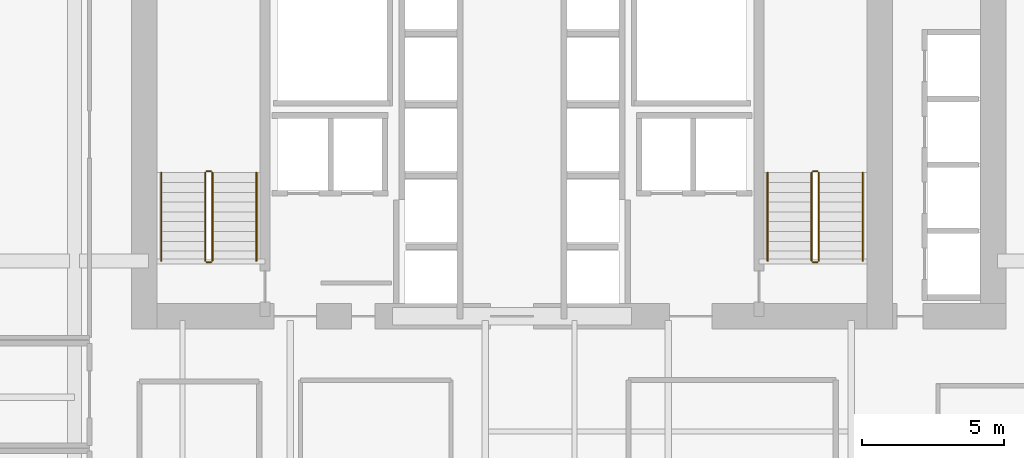
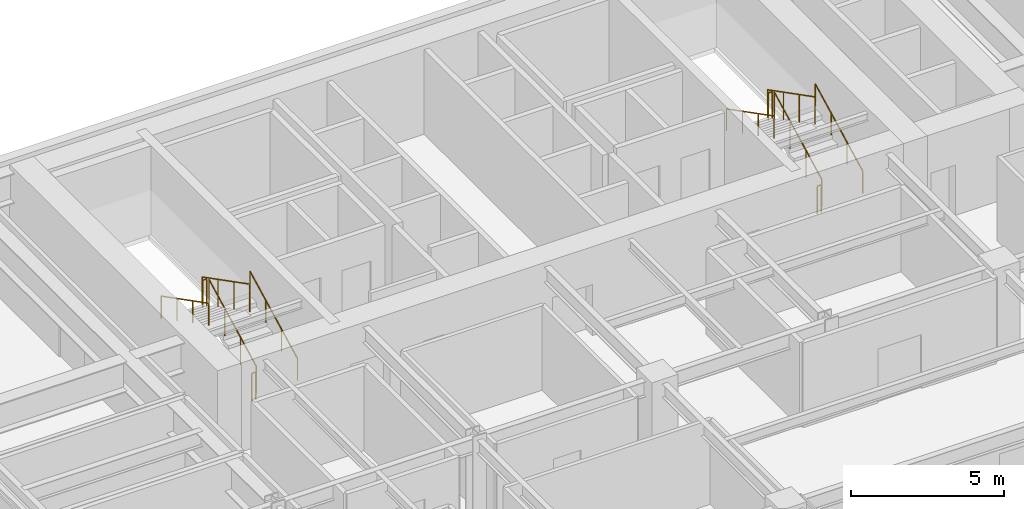
# One storey, part 30 of 30: 12 railings.
"""IFC4 building model written with IfcOpenShell, lengths in metres."""

from ifc_helpers import new_model, si_unit, direction, frame, origin, origin_2d, place, context, subcontext, project, spatial, circle, extrude, material, type_object, element, save


model = new_model("IFC4")

# Units and contexts
model_context = context("Model", 3, precision=1e-05, world=origin(), true_north=direction((0.0, 1.0)))
body_context = subcontext(model_context, "Body", "Model", "MODEL_VIEW")
ifc_project = project(units=[si_unit("LENGTHUNIT", "METRE"), si_unit("AREAUNIT", "SQUARE_METRE"), si_unit("VOLUMEUNIT", "CUBIC_METRE"), si_unit("PLANEANGLEUNIT", "RADIAN"), si_unit("MASSUNIT", "GRAM", prefix="KILO")], contexts=[model_context])

# Site, building, storey
site_placement = place(None, origin())
site = spatial("IfcSite", under=ifc_project, at=site_placement, CompositionType="ELEMENT")
building_placement = place(site_placement, origin())
building = spatial("IfcBuilding", under=site, at=building_placement, Name="Tolvann Quenvar Hotel", CompositionType="ELEMENT")
storey_placement = place(building_placement, frame((0.0, 0.0, 56.85009765625)))
storey = spatial("IfcBuildingStorey", under=building, at=storey_placement, Name="L13", CompositionType="ELEMENT", Elevation=56.85009765625)

# Railings
ifc_material = material(Name="Brushed 316 stainless steel balustrade and handrail", Category="steel")
railing_type_1 = type_object("IfcRailingType", Name="GUARDRAIL", PredefinedType="GUARDRAIL", material=ifc_material)
railing_1_placement = place(storey_placement, frame((12.449951171875, 34.0, 0.177490234375)))
element("IfcRailing", 1, at=railing_1_placement, inside=storey, type_object=railing_type_1, Name="L13 ST-C1 stair guard 1", PredefinedType="GUARDRAIL", context=body_context, shape_type="SweptSolid", body=[
    extrude(circle(Radius=0.02392578125, at=origin_2d()), frame((0.0, 0.0, 1.09619140625), z_axis=(0.0, 0.889221982265, 0.45747597342), x_axis=(-1.0, 0.0, 0.0)), (0.0, 0.0, 1.0), 3.49169921875),
    extrude(circle(Radius=0.02099609375, at=origin_2d()), origin(), (0.0, 0.0, 1.0), 1.072021484375),
    extrude(circle(Radius=0.02099609375, at=origin_2d()), frame((0.0, 1.034912109375, 0.532470703125)), (0.0, 0.0, 1.0), 1.072021484375),
    extrude(circle(Radius=0.02099609375, at=origin_2d()), frame((0.0, 2.070068359375, 1.06494140625)), (0.0, 0.0, 1.0), 1.072021484375),
    extrude(circle(Radius=0.02099609375, at=origin_2d()), frame((0.0, 3.10498046875, 1.597412109375)), (0.0, 0.0, 1.0), 1.072021484375),
])
railing_2_placement = place(storey_placement, frame((12.39990234375, 37.155029296875, 1.77490234375)))
element("IfcRailing", 2, at=railing_2_placement, inside=storey, type_object=railing_type_1, Name="L13 ST-C1 stair guard 2", PredefinedType="GUARDRAIL", context=body_context, shape_type="SweptSolid", body=[
    extrude(circle(Radius=0.02392578125, at=origin_2d()), frame((0.0, 0.0, 1.09619140625), z_axis=(-1.0, 0.0, 0.0), x_axis=(0.0, -1.0, 0.0)), (0.0, 0.0, 1.0), 0.14990234375),
    extrude(circle(Radius=0.02099609375, at=origin_2d()), origin(), (0.0, 0.0, 1.0), 1.072021484375),
    extrude(circle(Radius=0.02099609375, at=origin_2d()), frame((-0.14990234375, 0.0, 0.0)), (0.0, 0.0, 1.0), 1.072021484375),
])
railing_3_placement = place(storey_placement, frame((12.199951171875, 37.10498046875, 1.952392578125)))
element("IfcRailing", 3, at=railing_3_placement, inside=storey, type_object=railing_type_1, Name="L13 ST-C1 stair guard 3", PredefinedType="GUARDRAIL", context=body_context, shape_type="SweptSolid", body=[
    extrude(circle(Radius=0.02392578125, at=origin_2d()), frame((0.0, 0.0, 1.09619140625), z_axis=(0.0, -0.889221982265, 0.45747597342), x_axis=(1.0, 0.0, 0.0)), (0.0, 0.0, 1.0), 3.49169921875),
    extrude(circle(Radius=0.02099609375, at=origin_2d()), origin(), (0.0, 0.0, 1.0), 1.072021484375),
    extrude(circle(Radius=0.02099609375, at=origin_2d()), frame((0.0, -1.034912109375, 0.532470703125)), (0.0, 0.0, 1.0), 1.072021484375),
    extrude(circle(Radius=0.02099609375, at=origin_2d()), frame((0.0, -2.070068359375, 1.06494140625)), (0.0, 0.0, 1.0), 1.072021484375),
    extrude(circle(Radius=0.02099609375, at=origin_2d()), frame((0.0, -3.10498046875, 1.597412109375)), (0.0, 0.0, 1.0), 1.072021484375),
])
railing_4_placement = place(storey_placement, frame((12.39990234375, 33.949951171875, 0.0)))
element("IfcRailing", 4, at=railing_4_placement, inside=storey, type_object=railing_type_1, Name="L13 ST-C1 stair guard 4", PredefinedType="GUARDRAIL", context=body_context, shape_type="SweptSolid", body=[
    extrude(circle(Radius=0.02392578125, at=origin_2d()), frame((0.0, 0.0, 1.09619140625), z_axis=(-1.0, 0.0, 0.0), x_axis=(0.0, -1.0, 0.0)), (0.0, 0.0, 1.0), 0.14990234375),
    extrude(circle(Radius=0.02099609375, at=origin_2d()), origin(), (0.0, 0.0, 1.0), 1.072021484375),
    extrude(circle(Radius=0.02099609375, at=origin_2d()), frame((-0.14990234375, 0.0, 0.0)), (0.0, 0.0, 1.0), 1.072021484375),
])
railing_5_placement = place(storey_placement, frame((33.800048828125, 34.0, 0.177490234375)))
element("IfcRailing", 5, at=railing_5_placement, inside=storey, type_object=railing_type_1, Name="L13 ST-C2 stair guard 1", PredefinedType="GUARDRAIL", context=body_context, shape_type="SweptSolid", body=[
    extrude(circle(Radius=0.02392578125, at=origin_2d()), frame((0.0, 0.0, 1.09619140625), z_axis=(0.0, 0.889221982265, 0.45747597342), x_axis=(-1.0, 0.0, 0.0)), (0.0, 0.0, 1.0), 3.49169921875),
    extrude(circle(Radius=0.02099609375, at=origin_2d()), origin(), (0.0, 0.0, 1.0), 1.072021484375),
    extrude(circle(Radius=0.02099609375, at=origin_2d()), frame((0.0, 1.034912109375, 0.532470703125)), (0.0, 0.0, 1.0), 1.072021484375),
    extrude(circle(Radius=0.02099609375, at=origin_2d()), frame((0.0, 2.070068359375, 1.06494140625)), (0.0, 0.0, 1.0), 1.072021484375),
    extrude(circle(Radius=0.02099609375, at=origin_2d()), frame((0.0, 3.10498046875, 1.597412109375)), (0.0, 0.0, 1.0), 1.072021484375),
])
railing_6_placement = place(storey_placement, frame((33.75, 37.155029296875, 1.77490234375)))
element("IfcRailing", 6, at=railing_6_placement, inside=storey, type_object=railing_type_1, Name="L13 ST-C2 stair guard 2", PredefinedType="GUARDRAIL", context=body_context, shape_type="SweptSolid", body=[
    extrude(circle(Radius=0.02392578125, at=origin_2d()), frame((0.0, 0.0, 1.09619140625), z_axis=(-1.0, 0.0, 0.0), x_axis=(0.0, -1.0, 0.0)), (0.0, 0.0, 1.0), 0.14990234375),
    extrude(circle(Radius=0.02099609375, at=origin_2d()), origin(), (0.0, 0.0, 1.0), 1.072021484375),
    extrude(circle(Radius=0.02099609375, at=origin_2d()), frame((-0.14990234375, 0.0, 0.0)), (0.0, 0.0, 1.0), 1.072021484375),
])
railing_7_placement = place(storey_placement, frame((33.550048828125, 37.10498046875, 1.952392578125)))
element("IfcRailing", 7, at=railing_7_placement, inside=storey, type_object=railing_type_1, Name="L13 ST-C2 stair guard 3", PredefinedType="GUARDRAIL", context=body_context, shape_type="SweptSolid", body=[
    extrude(circle(Radius=0.02392578125, at=origin_2d()), frame((0.0, 0.0, 1.09619140625), z_axis=(0.0, -0.889221982265, 0.45747597342), x_axis=(1.0, 0.0, 0.0)), (0.0, 0.0, 1.0), 3.49169921875),
    extrude(circle(Radius=0.02099609375, at=origin_2d()), origin(), (0.0, 0.0, 1.0), 1.072021484375),
    extrude(circle(Radius=0.02099609375, at=origin_2d()), frame((0.0, -1.034912109375, 0.532470703125)), (0.0, 0.0, 1.0), 1.072021484375),
    extrude(circle(Radius=0.02099609375, at=origin_2d()), frame((0.0, -2.070068359375, 1.06494140625)), (0.0, 0.0, 1.0), 1.072021484375),
    extrude(circle(Radius=0.02099609375, at=origin_2d()), frame((0.0, -3.10498046875, 1.597412109375)), (0.0, 0.0, 1.0), 1.072021484375),
])
railing_8_placement = place(storey_placement, frame((33.75, 33.949951171875, 0.0)))
element("IfcRailing", 8, at=railing_8_placement, inside=storey, type_object=railing_type_1, Name="L13 ST-C2 stair guard 4", PredefinedType="GUARDRAIL", context=body_context, shape_type="SweptSolid", body=[
    extrude(circle(Radius=0.02392578125, at=origin_2d()), frame((0.0, 0.0, 1.09619140625), z_axis=(-1.0, 0.0, 0.0), x_axis=(0.0, -1.0, 0.0)), (0.0, 0.0, 1.0), 0.14990234375),
    extrude(circle(Radius=0.02099609375, at=origin_2d()), origin(), (0.0, 0.0, 1.0), 1.072021484375),
    extrude(circle(Radius=0.02099609375, at=origin_2d()), frame((-0.14990234375, 0.0, 0.0)), (0.0, 0.0, 1.0), 1.072021484375),
])
railing_type_2 = type_object("IfcRailingType", Name="HANDRAIL", PredefinedType="HANDRAIL", material=ifc_material)
railing_9_placement = place(storey_placement, frame((14.0, 34.0, 0.177490234375)))
element("IfcRailing", 9, at=railing_9_placement, inside=storey, type_object=railing_type_2, Name="L13 ST-C1 stair handrail 1", PredefinedType="HANDRAIL", context=body_context, shape_type="SweptSolid", body=[
    extrude(circle(Radius=0.02392578125, at=origin_2d()), frame((0.0, 0.0, 0.8759765625), z_axis=(0.0, 0.889221982265, 0.45747597342), x_axis=(-1.0, 0.0, 0.0)), (0.0, 0.0, 1.0), 3.49169921875),
    extrude(circle(Radius=0.02099609375, at=origin_2d()), origin(), (0.0, 0.0, 1.0), 0.851806640625),
    extrude(circle(Radius=0.02099609375, at=origin_2d()), frame((0.0, 1.034912109375, 0.532470703125)), (0.0, 0.0, 1.0), 0.851806640625),
    extrude(circle(Radius=0.02099609375, at=origin_2d()), frame((0.0, 2.070068359375, 1.06494140625)), (0.0, 0.0, 1.0), 0.851806640625),
    extrude(circle(Radius=0.02099609375, at=origin_2d()), frame((0.0, 3.10498046875, 1.597412109375)), (0.0, 0.0, 1.0), 0.851806640625),
])
railing_10_placement = place(storey_placement, frame((10.64990234375, 37.10498046875, 1.952392578125)))
element("IfcRailing", 10, at=railing_10_placement, inside=storey, type_object=railing_type_2, Name="L13 ST-C1 stair handrail 2", PredefinedType="HANDRAIL", context=body_context, shape_type="SweptSolid", body=[
    extrude(circle(Radius=0.02392578125, at=origin_2d()), frame((0.0, 0.0, 0.8759765625), z_axis=(0.0, -0.889221982265, 0.45747597342), x_axis=(1.0, 0.0, 0.0)), (0.0, 0.0, 1.0), 3.49169921875),
    extrude(circle(Radius=0.02099609375, at=origin_2d()), origin(), (0.0, 0.0, 1.0), 0.851806640625),
    extrude(circle(Radius=0.02099609375, at=origin_2d()), frame((0.0, -1.034912109375, 0.532470703125)), (0.0, 0.0, 1.0), 0.851806640625),
    extrude(circle(Radius=0.02099609375, at=origin_2d()), frame((0.0, -2.070068359375, 1.06494140625)), (0.0, 0.0, 1.0), 0.851806640625),
    extrude(circle(Radius=0.02099609375, at=origin_2d()), frame((0.0, -3.10498046875, 1.597412109375)), (0.0, 0.0, 1.0), 0.851806640625),
])
railing_11_placement = place(storey_placement, frame((35.35009765625, 34.0, 0.177490234375)))
element("IfcRailing", 11, at=railing_11_placement, inside=storey, type_object=railing_type_2, Name="L13 ST-C2 stair handrail 1", PredefinedType="HANDRAIL", context=body_context, shape_type="SweptSolid", body=[
    extrude(circle(Radius=0.02392578125, at=origin_2d()), frame((0.0, 0.0, 0.8759765625), z_axis=(0.0, 0.889221982265, 0.45747597342), x_axis=(-1.0, 0.0, 0.0)), (0.0, 0.0, 1.0), 3.49169921875),
    extrude(circle(Radius=0.02099609375, at=origin_2d()), origin(), (0.0, 0.0, 1.0), 0.851806640625),
    extrude(circle(Radius=0.02099609375, at=origin_2d()), frame((0.0, 1.034912109375, 0.532470703125)), (0.0, 0.0, 1.0), 0.851806640625),
    extrude(circle(Radius=0.02099609375, at=origin_2d()), frame((0.0, 2.070068359375, 1.06494140625)), (0.0, 0.0, 1.0), 0.851806640625),
    extrude(circle(Radius=0.02099609375, at=origin_2d()), frame((0.0, 3.10498046875, 1.597412109375)), (0.0, 0.0, 1.0), 0.851806640625),
])
railing_12_placement = place(storey_placement, frame((32.0, 37.10498046875, 1.952392578125)))
element("IfcRailing", 12, at=railing_12_placement, inside=storey, type_object=railing_type_2, Name="L13 ST-C2 stair handrail 2", PredefinedType="HANDRAIL", context=body_context, shape_type="SweptSolid", body=[
    extrude(circle(Radius=0.02392578125, at=origin_2d()), frame((0.0, 0.0, 0.8759765625), z_axis=(0.0, -0.889221982265, 0.45747597342), x_axis=(1.0, 0.0, 0.0)), (0.0, 0.0, 1.0), 3.49169921875),
    extrude(circle(Radius=0.02099609375, at=origin_2d()), origin(), (0.0, 0.0, 1.0), 0.851806640625),
    extrude(circle(Radius=0.02099609375, at=origin_2d()), frame((0.0, -1.034912109375, 0.532470703125)), (0.0, 0.0, 1.0), 0.851806640625),
    extrude(circle(Radius=0.02099609375, at=origin_2d()), frame((0.0, -2.070068359375, 1.06494140625)), (0.0, 0.0, 1.0), 0.851806640625),
    extrude(circle(Radius=0.02099609375, at=origin_2d()), frame((0.0, -3.10498046875, 1.597412109375)), (0.0, 0.0, 1.0), 0.851806640625),
])

save(model, "model.ifc")
